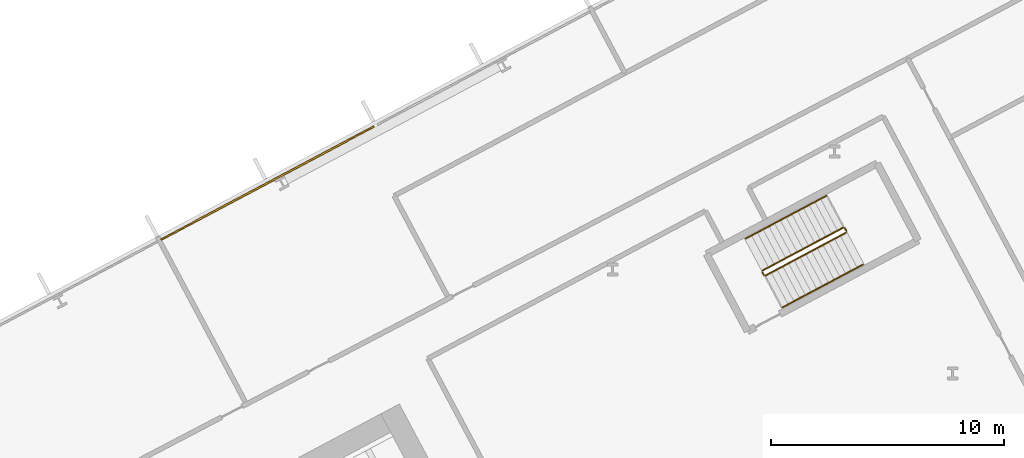
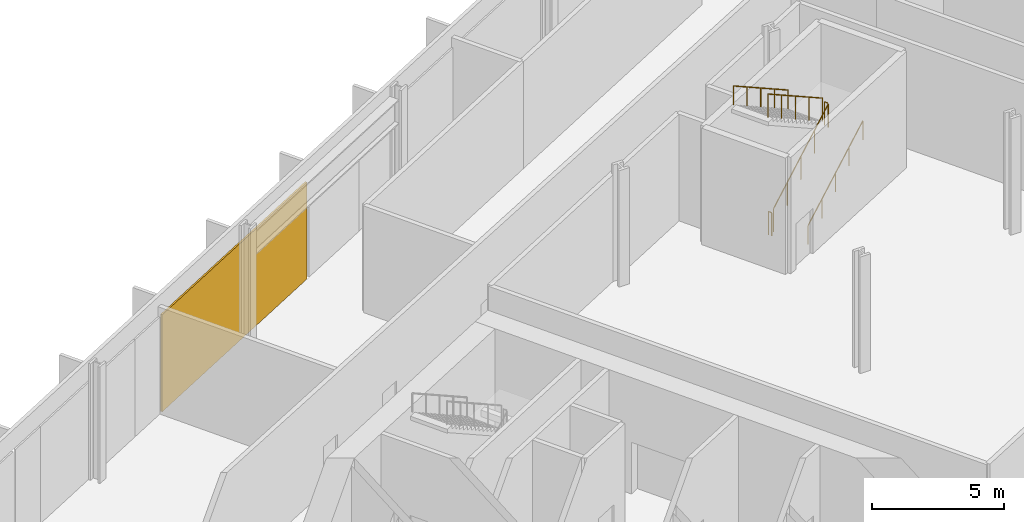
# One storey, part 30 of 31: 6 railings, 1 covering, 1 element without a shape of its own.
"""IFC4 building model written with IfcOpenShell, lengths in metres."""

import ifcopenshell
import ifcopenshell.guid

model = None  # the IFC model being written
_history = None  # IfcOwnerHistory: only IFC2X3 demands one
_inside = {}  # id of a spatial element -> (the spatial element, [elements in it])
_under = {}  # id of a project, library or spatial element -> (it, [spatial elements below it])
_declared = {}  # id of a project -> (the project, [libraries it declares])
_typed = {}  # id of a type object -> (the type object, [elements of that type])
_made_of = {}  # id of a material, layer set ... -> (it, [elements and type objects made of it])


def new_model(schema):
    """Start an empty IFC model of exactly this schema.

    Asked for "IFC4X3", IfcOpenShell would pick the latest addendum, in which some entities
    have other attributes; the version numbers below select the first issue.
    IFC2X3 requires an IfcOwnerHistory on every rooted entity: one is made here for all.
    """
    global model, _history
    if schema == "IFC4X3":
        model = ifcopenshell.file(schema_version=(4, 3, 0, 0))
    else:
        model = ifcopenshell.file(schema=schema)
    _inside.clear()
    _under.clear()
    _declared.clear()
    _typed.clear()
    _made_of.clear()
    _history = None
    if model.schema == "IFC2X3":
        org = make("IfcOrganization", Name="unknown")
        user = make(
            "IfcPersonAndOrganization",
            ThePerson=make("IfcPerson", FamilyName="unknown"),
            TheOrganization=org,
        )
        app = make(
            "IfcApplication",
            ApplicationDeveloper=org,
            Version="unknown",
            ApplicationFullName="unknown",
            ApplicationIdentifier="unknown",
        )
        _history = make(
            "IfcOwnerHistory",
            OwningUser=user,
            OwningApplication=app,
            ChangeAction="ADDED",
            CreationDate=0,
        )
    return model


def make(cls, **values):
    """One entity of the class cls with the attributes given. An attribute that is None is left unset."""
    return model.create_entity(
        cls, **{name: value for name, value in values.items() if value is not None}
    )


def rooted(cls, **values):
    """An entity with a GlobalId (a new one), such as an element, a storey or a relation."""
    return make(cls, GlobalId=ifcopenshell.guid.new(), OwnerHistory=_history, **values)


def si_unit(unit_type, name, prefix=None):
    """IfcSIUnit, for example si_unit("LENGTHUNIT", "METRE", prefix="MILLI")."""
    return make("IfcSIUnit", UnitType=unit_type, Prefix=prefix, Name=name)


def assignment(units):
    """IfcUnitAssignment: the units of a project."""
    return None if units is None else make("IfcUnitAssignment", Units=units)


def point(xyz):
    """IfcCartesianPoint."""
    return None if xyz is None else make("IfcCartesianPoint", Coordinates=xyz)


def direction(xyz):
    """IfcDirection."""
    return None if xyz is None else make("IfcDirection", DirectionRatios=xyz)


def frame(location, z_axis=None, x_axis=None):
    """IfcAxis2Placement3D, a coordinate frame: its origin and axes. An axis left out is left unset."""
    return make(
        "IfcAxis2Placement3D",
        Location=point(location),
        Axis=direction(z_axis),
        RefDirection=direction(x_axis),
    )


def frame_2d(location, x_axis=None):
    """IfcAxis2Placement2D, a coordinate frame in the plane: its origin and x axis."""
    return make(
        "IfcAxis2Placement2D", Location=point(location), RefDirection=direction(x_axis)
    )


def origin():
    """The frame at (0, 0, 0) with its axes left unset."""
    return frame((0.0, 0.0, 0.0))


def origin_2d():
    """The frame at (0, 0) in the plane with its x axis left unset."""
    return frame_2d((0.0, 0.0))


def place(relative_to, where):
    """IfcLocalPlacement: puts the frame where relative to a parent placement (None: the world)."""
    return make(
        "IfcLocalPlacement", PlacementRelTo=relative_to, RelativePlacement=where
    )


def context(
    kind, dimensions, precision=None, world=None, true_north=None, identifier=None
):
    """IfcGeometricRepresentationContext, for example the 3D "Model" context."""
    return make(
        "IfcGeometricRepresentationContext",
        ContextIdentifier=identifier,
        ContextType=kind,
        CoordinateSpaceDimension=dimensions,
        Precision=precision,
        WorldCoordinateSystem=world,
        TrueNorth=true_north,
    )


def subcontext(parent, identifier, kind, view, scale=None):
    """IfcGeometricRepresentationSubContext, for example "Body" below "Model"."""
    return make(
        "IfcGeometricRepresentationSubContext",
        ContextIdentifier=identifier,
        ContextType=kind,
        ParentContext=parent,
        TargetScale=scale,
        TargetView=view,
    )


def project(units=None, contexts=None):
    """IfcProject with its units and contexts."""
    return rooted(
        "IfcProject",
        Name="project",
        RepresentationContexts=contexts,
        UnitsInContext=assignment(units),
    )


def spatial(cls, under=None, at=None, **own):
    """A site, building, storey or space (cls), placed at a placement, below another one or the project."""
    s = rooted(cls, ObjectPlacement=at, **own)
    if under is not None:
        _under.setdefault(under.id(), (under, []))[1].append(s)
    return s


def polyline(points):
    """IfcPolyline through the points."""
    return make("IfcPolyline", Points=[point(p) for p in points])


def profile(cls, at=None, kind="AREA", **sizes):
    """A parametric profile (cls). Its sizes go by their IFC names, for example OverallWidth=200.0."""
    return make(cls, ProfileType=kind, Position=at, **sizes)


def rectangle(**sizes):
    """IfcRectangleProfileDef."""
    return profile("IfcRectangleProfileDef", **sizes)


def outline(outer, holes=None, kind="AREA"):
    """IfcArbitraryClosedProfileDef: a profile drawn as a closed curve; with holes, ...WithVoids."""
    if holes is None:
        return make("IfcArbitraryClosedProfileDef", ProfileType=kind, OuterCurve=outer)
    return make(
        "IfcArbitraryProfileDefWithVoids",
        ProfileType=kind,
        OuterCurve=outer,
        InnerCurves=holes,
    )


def extrude(swept, where, along, depth):
    """IfcExtrudedAreaSolid: the profile swept, set in the frame where, extruded along a direction by depth."""
    return make(
        "IfcExtrudedAreaSolid",
        SweptArea=swept,
        Position=where,
        ExtrudedDirection=direction(along),
        Depth=depth,
    )


def shape(context_of_items, identifier, shape_type, items):
    """IfcShapeRepresentation: the items that make up one representation, for example the "Body"."""
    return make(
        "IfcShapeRepresentation",
        ContextOfItems=context_of_items,
        RepresentationIdentifier=identifier,
        RepresentationType=shape_type,
        Items=items,
    )


def material(Name=None, Category=None):
    """IfcMaterial."""
    return make("IfcMaterial", Name=Name, Category=Category)


def layer(
    of_material, thickness, ventilated=None, Name=None, Category=None, Priority=None
):
    """IfcMaterialLayer: one layer of a wall or slab, of a material (None: an air gap)."""
    return make(
        "IfcMaterialLayer",
        Material=of_material,
        LayerThickness=thickness,
        IsVentilated=ventilated,
        Name=Name,
        Category=Category,
        Priority=Priority,
    )


def layer_set(layers, Name=None):
    """IfcMaterialLayerSet."""
    return make("IfcMaterialLayerSet", MaterialLayers=layers, LayerSetName=Name)


def made_of(thing, what):
    """Note that an element or type object is made of a material, layer set ...; save() writes the relation."""
    if what is not None:
        _made_of.setdefault(what.id(), (what, []))[1].append(thing)
    return thing


def type_object(cls, material=None, **own):
    """A type object (cls), such as IfcWallType, which elements share."""
    return made_of(rooted(cls, **own), material)


def element(
    cls,
    number,
    at=None,
    inside=None,
    cuts=None,
    type_object=None,
    material=None,
    context=None,
    identifier="Body",
    shape_type=None,
    held_by="IfcProductDefinitionShape",
    body=None,
    shapes=None,
    **own,
):
    """One element of the class cls, such as IfcWall. Its Tag is "e" and its number.

    at: its placement. inside: the storey or other place that contains it. cuts: it is an
    opening in that element (IfcRelVoidsElement). A single representation is given by context,
    identifier, shape_type and body (its items); several are given by shapes. held_by: the class
    of the entity that holds the representations. save() writes the other relations.
    """
    e = rooted(cls, Tag="e%d" % number, ObjectPlacement=at, **own)
    if body is not None:
        shapes = [shape(context, identifier, shape_type, body)]
    if shapes is not None:
        e.Representation = make(held_by, Representations=shapes)
    if inside is not None:
        _inside.setdefault(inside.id(), (inside, []))[1].append(e)
    if cuts is not None:
        rooted(
            "IfcRelVoidsElement", RelatingBuildingElement=cuts, RelatedOpeningElement=e
        )
    if type_object is not None:
        _typed.setdefault(type_object.id(), (type_object, []))[1].append(e)
    return made_of(e, material)


def aggregate(whole, parts):
    """IfcRelAggregates: a whole, such as a stair, and the parts it consists of."""
    return rooted("IfcRelAggregates", RelatingObject=whole, RelatedObjects=parts)


def save(model, path):
    """Write the relations noted so far, then the file.

    IfcRelAggregates (storeys below a building ...), IfcRelContainedInSpatialStructure (elements
    in a storey), IfcRelDefinesByType, IfcRelAssociatesMaterial and IfcRelDeclares: one each for
    every whole, place, type object, material and project.
    """
    for whole, parts in _under.values():
        aggregate(whole, parts)
    for where, things in _inside.values():
        rooted(
            "IfcRelContainedInSpatialStructure",
            RelatedElements=things,
            RelatingStructure=where,
        )
    for kind, things in _typed.values():
        rooted("IfcRelDefinesByType", RelatedObjects=things, RelatingType=kind)
    for what, things in _made_of.values():
        rooted("IfcRelAssociatesMaterial", RelatedObjects=things, RelatingMaterial=what)
    for by, libraries in _declared.values():
        rooted("IfcRelDeclares", RelatingContext=by, RelatedDefinitions=libraries)
    model.write(path)


model = new_model("IFC4")

# Units and contexts
model_context = context("Model", 3, precision=1e-05, world=origin(), true_north=direction((0.0, 1.0)))
body_context = subcontext(model_context, "Body", "Model", "MODEL_VIEW")
ifc_project = project(units=[si_unit("LENGTHUNIT", "METRE"), si_unit("AREAUNIT", "SQUARE_METRE"), si_unit("VOLUMEUNIT", "CUBIC_METRE"), si_unit("PLANEANGLEUNIT", "RADIAN"), si_unit("MASSUNIT", "GRAM", prefix="KILO")], contexts=[model_context])

# Site, building, storey
site_placement = place(None, origin())
site = spatial("IfcSite", under=ifc_project, at=site_placement, CompositionType="ELEMENT")
building_placement = place(site_placement, origin())
building = spatial("IfcBuilding", under=site, at=building_placement, Name="Cormorant Relay Tower", CompositionType="ELEMENT")
storey_placement = place(building_placement, frame((0.0, 0.0, 23.0)))
storey = spatial("IfcBuildingStorey", under=building, at=storey_placement, Name="L04", CompositionType="ELEMENT", Elevation=23.0)

# Curtain wall, covering
ifc_material_1 = material(Name="Aluminium 6063-T6 anodised bronze", Category="aluminium")
ifc_layer_1 = layer(ifc_material_1, 0.235107421875)
ifc_layer_set_1 = layer_set([ifc_layer_1], Name="CW6 data hall curtain wall with mineral wool panels")
curtain_wall_type = type_object("IfcCurtainWallType", Name="CW6 data hall curtain wall with mineral wool panels", PredefinedType="NOTDEFINED", material=ifc_layer_set_1)
curtain_wall_placement = place(storey_placement, origin())
curtain_wall = element("IfcCurtainWall", 1, at=curtain_wall_placement, inside=storey, type_object=curtain_wall_type, Name="CW6 curtain wall 6", PredefinedType="NOTDEFINED")
ifc_material_2 = material(Name="Mineral wool cored anodised bronze aluminium cassette panel", Category="aluminium")
ifc_layer_2 = layer(ifc_material_2, 0.074951171875)
ifc_layer_set_2 = layer_set([ifc_layer_2], Name="CW6 mineral wool cassette panel 75")
covering_type = type_object("IfcCoveringType", Name="CW6 mineral wool cassette panel 75", PredefinedType="CLADDING", material=ifc_layer_set_2)
covering_placement = place(storey_placement, frame((23.193603515625, 36.15869140625, 0.0), z_axis=(0.0, 0.0, 1.0), x_axis=(-0.882947592859, -0.469471562786, 0.0)))
covering = element("IfcCovering", 2, at=covering_placement, type_object=covering_type, Name="CW6 panel S05", PredefinedType="CLADDING", context=body_context, shape_type="SweptSolid", body=[
    extrude(rectangle(XDim=10.365234375, YDim=0.074951171875, at=origin_2d()), origin(), (0.0, 0.0, 1.0), 4.5),
])
aggregate(curtain_wall, [covering])

# Railings
ifc_material_3 = material(Name="Steel ASTM A572 Grade 50 (Fy 345 MPa)", Category="steel")
railing_type_1 = type_object("IfcRailingType", Name="Stair guard 1100", PredefinedType="GUARDRAIL", material=ifc_material_3)
railing_1_placement = place(storey_placement, frame((44.583740234375, 32.186279296875, 0.179931640625)))
element("IfcRailing", 3, at=railing_1_placement, inside=storey, type_object=railing_type_1, Name="L04 RB1 stair guard 1", PredefinedType="GUARDRAIL", context=body_context, shape_type="SweptSolid", body=[
    extrude(outline(polyline([(0.022216796875, 0.00927734375), (0.00927734375, 0.022216796875), (-0.00927734375, 0.022216796875), (-0.022216796875, 0.00927734375), (-0.022216796875, -0.00927734375), (-0.00927734375, -0.022216796875), (0.00927734375, -0.022216796875), (0.022216796875, -0.00927734375), (0.022216796875, 0.00927734375)])), frame((0.0, 0.0, 1.076171875), z_axis=(0.74271721126, 0.394907409077, 0.540758062681), x_axis=(-0.469469396681, 0.882948744594, 0.0)), (0.0, 0.0, 1.0), 4.66015625),
    extrude(outline(polyline([(0.019287109375, 0.008056640625), (0.008056640625, 0.019287109375), (-0.008056640625, 0.019287109375), (-0.019287109375, 0.008056640625), (-0.019287109375, -0.008056640625), (-0.008056640625, -0.019287109375), (0.008056640625, -0.019287109375), (0.019287109375, -0.008056640625), (0.019287109375, 0.008056640625)])), origin(), (0.0, 0.0, 1.0), 1.052001953125),
    extrude(outline(polyline([(0.019287109375, 0.008056640625), (0.008056640625, 0.019287109375), (-0.008056640625, 0.019287109375), (-0.019287109375, 0.008056640625), (-0.019287109375, -0.008056640625), (-0.008056640625, -0.019287109375), (0.008056640625, -0.019287109375), (0.019287109375, -0.008056640625), (0.019287109375, 0.008056640625)])), frame((0.865234375, 0.4599609375, 0.6298828125)), (0.0, 0.0, 1.0), 1.052001953125),
    extrude(outline(polyline([(0.019287109375, 0.008056640625), (0.008056640625, 0.019287109375), (-0.008056640625, 0.019287109375), (-0.019287109375, 0.008056640625), (-0.019287109375, -0.008056640625), (-0.008056640625, -0.019287109375), (0.008056640625, -0.019287109375), (0.019287109375, -0.008056640625), (0.019287109375, 0.008056640625)])), frame((1.73046875, 0.920166015625, 1.260009765625)), (0.0, 0.0, 1.0), 1.052001953125),
    extrude(outline(polyline([(0.019287109375, 0.008056640625), (0.008056640625, 0.019287109375), (-0.008056640625, 0.019287109375), (-0.019287109375, 0.008056640625), (-0.019287109375, -0.008056640625), (-0.008056640625, -0.019287109375), (0.008056640625, -0.019287109375), (0.019287109375, -0.008056640625), (0.019287109375, 0.008056640625)])), frame((2.595947265625, 1.38037109375, 1.89013671875)), (0.0, 0.0, 1.0), 1.052001953125),
    extrude(outline(polyline([(0.019287109375, 0.008056640625), (0.008056640625, 0.019287109375), (-0.008056640625, 0.019287109375), (-0.019287109375, 0.008056640625), (-0.019287109375, -0.008056640625), (-0.008056640625, -0.019287109375), (0.008056640625, -0.019287109375), (0.019287109375, -0.008056640625), (0.019287109375, 0.008056640625)])), frame((3.461181640625, 1.84033203125, 2.52001953125)), (0.0, 0.0, 1.0), 1.052001953125),
])
railing_2_placement = place(storey_placement, frame((48.065673828125, 34.09423828125, 2.699951171875)))
element("IfcRailing", 4, at=railing_2_placement, inside=storey, type_object=railing_type_1, Name="L04 RB1 stair guard 2", PredefinedType="GUARDRAIL", context=body_context, shape_type="SweptSolid", body=[
    extrude(outline(polyline([(0.022216796875, 0.00927734375), (0.00927734375, 0.022216796875), (-0.00927734375, 0.022216796875), (-0.022216796875, 0.00927734375), (-0.022216796875, -0.00927734375), (-0.00927734375, -0.022216796875), (0.00927734375, -0.022216796875), (0.022216796875, -0.00927734375), (0.022216796875, 0.00927734375)])), frame((0.0, 0.0, 1.076171875), z_axis=(-0.469828648786, 0.882757634224, 0.0), x_axis=(-0.882757634224, -0.469828648786, 0.0)), (0.0, 0.0, 1.0), 0.150146484375),
    extrude(outline(polyline([(0.019287109375, 0.008056640625), (0.008056640625, 0.019287109375), (-0.008056640625, 0.019287109375), (-0.019287109375, 0.008056640625), (-0.019287109375, -0.008056640625), (-0.008056640625, -0.019287109375), (0.008056640625, -0.019287109375), (0.019287109375, -0.008056640625), (0.019287109375, 0.008056640625)])), origin(), (0.0, 0.0, 1.0), 1.052001953125),
    extrude(outline(polyline([(0.019287109375, 0.008056640625), (0.008056640625, 0.019287109375), (-0.008056640625, 0.019287109375), (-0.019287109375, 0.008056640625), (-0.019287109375, -0.008056640625), (-0.008056640625, -0.019287109375), (0.008056640625, -0.019287109375), (0.019287109375, -0.008056640625), (0.019287109375, 0.008056640625)])), frame((-0.070556640625, 0.132568359375, 0.0)), (0.0, 0.0, 1.0), 1.052001953125),
])
railing_3_placement = place(storey_placement, frame((47.927490234375, 34.24755859375, 2.8798828125)))
element("IfcRailing", 5, at=railing_3_placement, inside=storey, type_object=railing_type_1, Name="L04 RB1 stair guard 3", PredefinedType="GUARDRAIL", context=body_context, shape_type="SweptSolid", body=[
    extrude(outline(polyline([(0.022216796875, 0.00927734375), (0.00927734375, 0.022216796875), (-0.00927734375, 0.022216796875), (-0.022216796875, 0.00927734375), (-0.022216796875, -0.00927734375), (-0.00927734375, -0.022216796875), (0.00927734375, -0.022216796875), (0.022216796875, -0.00927734375), (0.022216796875, 0.00927734375)])), frame((0.0, 0.0, 1.076171875), z_axis=(-0.74271721126, -0.394907409077, 0.540758062681), x_axis=(0.469469396681, -0.882948744594, 0.0)), (0.0, 0.0, 1.0), 4.66015625),
    extrude(outline(polyline([(0.019287109375, 0.008056640625), (0.008056640625, 0.019287109375), (-0.008056640625, 0.019287109375), (-0.019287109375, 0.008056640625), (-0.019287109375, -0.008056640625), (-0.008056640625, -0.019287109375), (0.008056640625, -0.019287109375), (0.019287109375, -0.008056640625), (0.019287109375, 0.008056640625)])), origin(), (0.0, 0.0, 1.0), 1.052001953125),
    extrude(outline(polyline([(0.019287109375, 0.008056640625), (0.008056640625, 0.019287109375), (-0.008056640625, 0.019287109375), (-0.019287109375, 0.008056640625), (-0.019287109375, -0.008056640625), (-0.008056640625, -0.019287109375), (0.008056640625, -0.019287109375), (0.019287109375, -0.008056640625), (0.019287109375, 0.008056640625)])), frame((-0.865234375, -0.4599609375, 0.6298828125)), (0.0, 0.0, 1.0), 1.052001953125),
    extrude(outline(polyline([(0.019287109375, 0.008056640625), (0.008056640625, 0.019287109375), (-0.008056640625, 0.019287109375), (-0.019287109375, 0.008056640625), (-0.019287109375, -0.008056640625), (-0.008056640625, -0.019287109375), (0.008056640625, -0.019287109375), (0.019287109375, -0.008056640625), (0.019287109375, 0.008056640625)])), frame((-1.73046875, -0.920166015625, 1.260009765625)), (0.0, 0.0, 1.0), 1.052001953125),
    extrude(outline(polyline([(0.019287109375, 0.008056640625), (0.008056640625, 0.019287109375), (-0.008056640625, 0.019287109375), (-0.019287109375, 0.008056640625), (-0.019287109375, -0.008056640625), (-0.008056640625, -0.019287109375), (0.008056640625, -0.019287109375), (0.019287109375, -0.008056640625), (0.019287109375, 0.008056640625)])), frame((-2.595947265625, -1.38037109375, 1.89013671875)), (0.0, 0.0, 1.0), 1.052001953125),
    extrude(outline(polyline([(0.019287109375, 0.008056640625), (0.008056640625, 0.019287109375), (-0.008056640625, 0.019287109375), (-0.019287109375, 0.008056640625), (-0.019287109375, -0.008056640625), (-0.008056640625, -0.019287109375), (0.008056640625, -0.019287109375), (0.019287109375, -0.008056640625), (0.019287109375, 0.008056640625)])), frame((-3.461181640625, -1.84033203125, 2.52001953125)), (0.0, 0.0, 1.0), 1.052001953125),
])
railing_4_placement = place(storey_placement, frame((44.51611328125, 32.20703125, 0.0)))
element("IfcRailing", 6, at=railing_4_placement, inside=storey, type_object=railing_type_1, Name="L04 RB1 stair guard 4", PredefinedType="GUARDRAIL", context=body_context, shape_type="SweptSolid", body=[
    extrude(outline(polyline([(0.022216796875, 0.00927734375), (0.00927734375, 0.022216796875), (-0.00927734375, 0.022216796875), (-0.022216796875, 0.00927734375), (-0.022216796875, -0.00927734375), (-0.00927734375, -0.022216796875), (0.00927734375, -0.022216796875), (0.022216796875, -0.00927734375), (0.022216796875, 0.00927734375)])), frame((0.0, 0.0, 1.076171875), z_axis=(-0.46856034887, 0.8834314911, 0.0), x_axis=(-0.8834314911, -0.46856034887, 0.0)), (0.0, 0.0, 1.0), 0.150146484375),
    extrude(outline(polyline([(0.019287109375, 0.008056640625), (0.008056640625, 0.019287109375), (-0.008056640625, 0.019287109375), (-0.019287109375, 0.008056640625), (-0.019287109375, -0.008056640625), (-0.008056640625, -0.019287109375), (0.008056640625, -0.019287109375), (0.019287109375, -0.008056640625), (0.019287109375, 0.008056640625)])), origin(), (0.0, 0.0, 1.0), 1.052001953125),
    extrude(outline(polyline([(0.019287109375, 0.008056640625), (0.008056640625, 0.019287109375), (-0.008056640625, 0.019287109375), (-0.019287109375, 0.008056640625), (-0.019287109375, -0.008056640625), (-0.008056640625, -0.019287109375), (0.008056640625, -0.019287109375), (0.019287109375, -0.008056640625), (0.019287109375, 0.008056640625)])), frame((-0.0703125, 0.132568359375, 0.0)), (0.0, 0.0, 1.0), 1.052001953125),
])
ifc_material_4 = material(Name="Steel ASTM A572 Grade 50 (Fy 345 MPa)", Category="steel")
railing_type_2 = type_object("IfcRailingType", Name="Stair handrail 900", PredefinedType="HANDRAIL", material=ifc_material_4)
railing_5_placement = place(storey_placement, frame((45.3115234375, 30.81787109375, 0.179931640625)))
element("IfcRailing", 7, at=railing_5_placement, inside=storey, type_object=railing_type_2, Name="L04 RB1 stair handrail 1", PredefinedType="HANDRAIL", context=body_context, shape_type="SweptSolid", body=[
    extrude(outline(polyline([(0.022216796875, 0.00927734375), (0.00927734375, 0.022216796875), (-0.00927734375, 0.022216796875), (-0.022216796875, 0.00927734375), (-0.022216796875, -0.00927734375), (-0.00927734375, -0.022216796875), (0.00927734375, -0.022216796875), (0.022216796875, -0.00927734375), (0.022216796875, 0.00927734375)])), frame((0.0, 0.0, 0.8759765625), z_axis=(0.74271721126, 0.394907409077, 0.540758062681), x_axis=(-0.469469396681, 0.882948744594, 0.0)), (0.0, 0.0, 1.0), 4.66015625),
    extrude(outline(polyline([(0.019287109375, 0.008056640625), (0.008056640625, 0.019287109375), (-0.008056640625, 0.019287109375), (-0.019287109375, 0.008056640625), (-0.019287109375, -0.008056640625), (-0.008056640625, -0.019287109375), (0.008056640625, -0.019287109375), (0.019287109375, -0.008056640625), (0.019287109375, 0.008056640625)])), origin(), (0.0, 0.0, 1.0), 0.851806640625),
    extrude(outline(polyline([(0.019287109375, 0.008056640625), (0.008056640625, 0.019287109375), (-0.008056640625, 0.019287109375), (-0.019287109375, 0.008056640625), (-0.019287109375, -0.008056640625), (-0.008056640625, -0.019287109375), (0.008056640625, -0.019287109375), (0.019287109375, -0.008056640625), (0.019287109375, 0.008056640625)])), frame((0.865234375, 0.4599609375, 0.6298828125)), (0.0, 0.0, 1.0), 0.851806640625),
    extrude(outline(polyline([(0.019287109375, 0.008056640625), (0.008056640625, 0.019287109375), (-0.008056640625, 0.019287109375), (-0.019287109375, 0.008056640625), (-0.019287109375, -0.008056640625), (-0.008056640625, -0.019287109375), (0.008056640625, -0.019287109375), (0.019287109375, -0.008056640625), (0.019287109375, 0.008056640625)])), frame((1.73046875, 0.920166015625, 1.260009765625)), (0.0, 0.0, 1.0), 0.851806640625),
    extrude(outline(polyline([(0.019287109375, 0.008056640625), (0.008056640625, 0.019287109375), (-0.008056640625, 0.019287109375), (-0.019287109375, 0.008056640625), (-0.019287109375, -0.008056640625), (-0.008056640625, -0.019287109375), (0.008056640625, -0.019287109375), (0.019287109375, -0.008056640625), (0.019287109375, 0.008056640625)])), frame((2.595947265625, 1.38037109375, 1.89013671875)), (0.0, 0.0, 1.0), 0.851806640625),
    extrude(outline(polyline([(0.019287109375, 0.008056640625), (0.008056640625, 0.019287109375), (-0.008056640625, 0.019287109375), (-0.019287109375, 0.008056640625), (-0.019287109375, -0.008056640625), (-0.008056640625, -0.019287109375), (0.008056640625, -0.019287109375), (0.019287109375, -0.008056640625), (0.019287109375, 0.008056640625)])), frame((3.461181640625, 1.84033203125, 2.52001953125)), (0.0, 0.0, 1.0), 0.851806640625),
])
railing_6_placement = place(storey_placement, frame((47.199951171875, 35.615966796875, 2.8798828125)))
element("IfcRailing", 8, at=railing_6_placement, inside=storey, type_object=railing_type_2, Name="L04 RB1 stair handrail 2", PredefinedType="HANDRAIL", context=body_context, shape_type="SweptSolid", body=[
    extrude(outline(polyline([(0.022216796875, 0.00927734375), (0.00927734375, 0.022216796875), (-0.00927734375, 0.022216796875), (-0.022216796875, 0.00927734375), (-0.022216796875, -0.00927734375), (-0.00927734375, -0.022216796875), (0.00927734375, -0.022216796875), (0.022216796875, -0.00927734375), (0.022216796875, 0.00927734375)])), frame((0.0, 0.0, 0.8759765625), z_axis=(-0.74271721126, -0.394907409077, 0.540758062681), x_axis=(0.469469396681, -0.882948744594, 0.0)), (0.0, 0.0, 1.0), 4.66015625),
    extrude(outline(polyline([(0.019287109375, 0.008056640625), (0.008056640625, 0.019287109375), (-0.008056640625, 0.019287109375), (-0.019287109375, 0.008056640625), (-0.019287109375, -0.008056640625), (-0.008056640625, -0.019287109375), (0.008056640625, -0.019287109375), (0.019287109375, -0.008056640625), (0.019287109375, 0.008056640625)])), origin(), (0.0, 0.0, 1.0), 0.851806640625),
    extrude(outline(polyline([(0.019287109375, 0.008056640625), (0.008056640625, 0.019287109375), (-0.008056640625, 0.019287109375), (-0.019287109375, 0.008056640625), (-0.019287109375, -0.008056640625), (-0.008056640625, -0.019287109375), (0.008056640625, -0.019287109375), (0.019287109375, -0.008056640625), (0.019287109375, 0.008056640625)])), frame((-0.865234375, -0.4599609375, 0.6298828125)), (0.0, 0.0, 1.0), 0.851806640625),
    extrude(outline(polyline([(0.019287109375, 0.008056640625), (0.008056640625, 0.019287109375), (-0.008056640625, 0.019287109375), (-0.019287109375, 0.008056640625), (-0.019287109375, -0.008056640625), (-0.008056640625, -0.019287109375), (0.008056640625, -0.019287109375), (0.019287109375, -0.008056640625), (0.019287109375, 0.008056640625)])), frame((-1.73046875, -0.920166015625, 1.260009765625)), (0.0, 0.0, 1.0), 0.851806640625),
    extrude(outline(polyline([(0.019287109375, 0.008056640625), (0.008056640625, 0.019287109375), (-0.008056640625, 0.019287109375), (-0.019287109375, 0.008056640625), (-0.019287109375, -0.008056640625), (-0.008056640625, -0.019287109375), (0.008056640625, -0.019287109375), (0.019287109375, -0.008056640625), (0.019287109375, 0.008056640625)])), frame((-2.595947265625, -1.38037109375, 1.89013671875)), (0.0, 0.0, 1.0), 0.851806640625),
    extrude(outline(polyline([(0.019287109375, 0.008056640625), (0.008056640625, 0.019287109375), (-0.008056640625, 0.019287109375), (-0.019287109375, 0.008056640625), (-0.019287109375, -0.008056640625), (-0.008056640625, -0.019287109375), (0.008056640625, -0.019287109375), (0.019287109375, -0.008056640625), (0.019287109375, 0.008056640625)])), frame((-3.461181640625, -1.84033203125, 2.52001953125)), (0.0, 0.0, 1.0), 0.851806640625),
])

save(model, "model.ifc")
